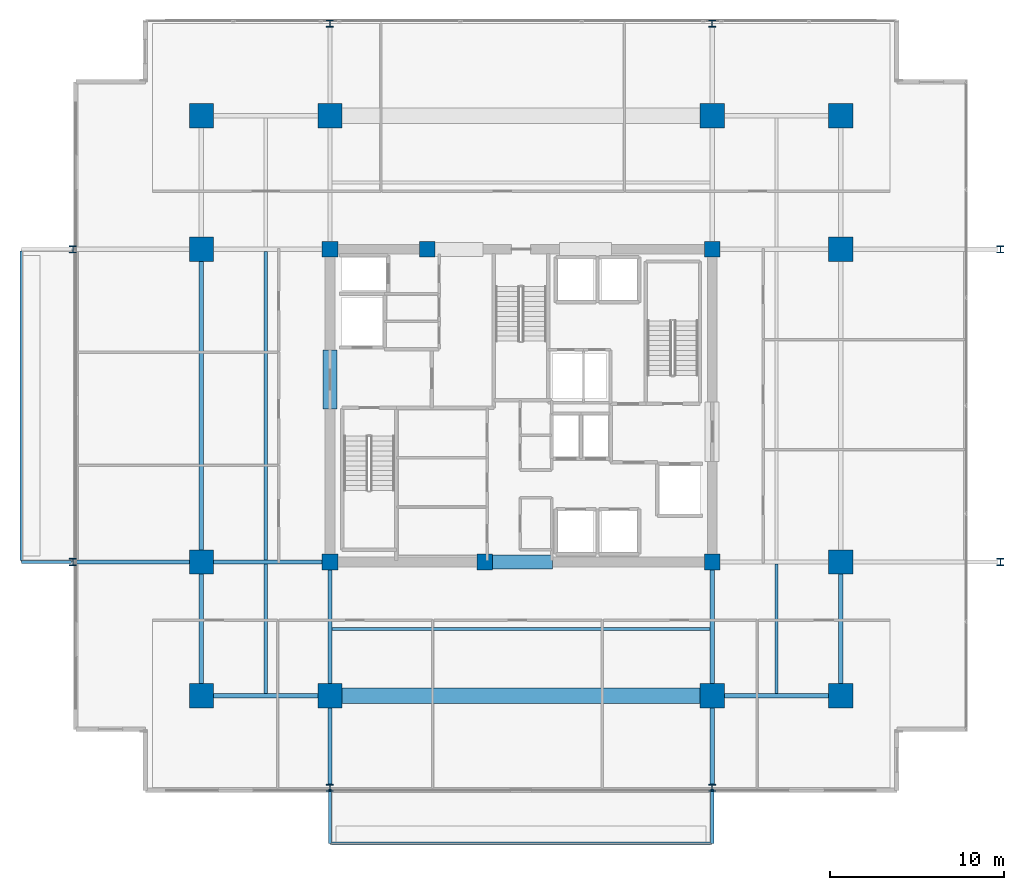
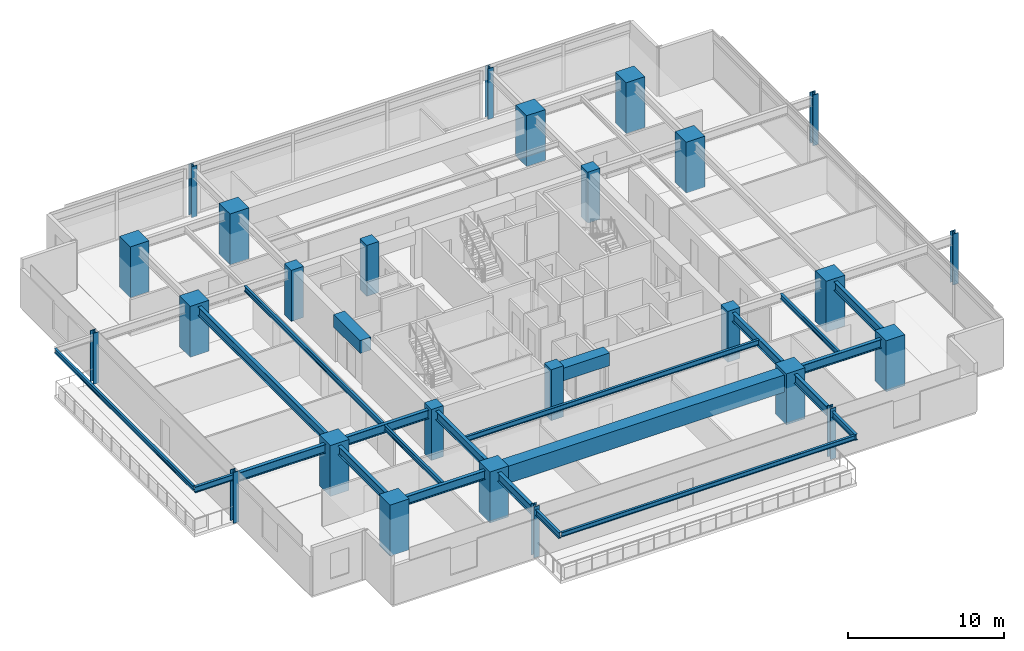
# One storey, part 1 of 23: 26 columns, 23 beams.
"""IFC4 building model written with IfcOpenShell, lengths in metres."""

from ifc_helpers import new_model, si_unit, direction, frame, origin, origin_2d, place, context, subcontext, project, spatial, rectangle, i_section, extrude, material, material_profile, profile_set, type_object, element, save


model = new_model("IFC4")

# Units and contexts
model_context = context("Model", 3, precision=1e-05, world=origin(), true_north=direction((0.0, 1.0)))
body_context = subcontext(model_context, "Body", "Model", "MODEL_VIEW")
ifc_project = project(units=[si_unit("LENGTHUNIT", "METRE"), si_unit("AREAUNIT", "SQUARE_METRE"), si_unit("VOLUMEUNIT", "CUBIC_METRE"), si_unit("PLANEANGLEUNIT", "RADIAN"), si_unit("MASSUNIT", "GRAM", prefix="KILO")], contexts=[model_context])

# Site, building, storey
site_placement = place(None, origin())
site = spatial("IfcSite", under=ifc_project, at=site_placement, CompositionType="ELEMENT")
building_placement = place(site_placement, origin())
building = spatial("IfcBuilding", under=site, at=building_placement, Name="Kovane Verandah Tower", CompositionType="ELEMENT")
storey_placement = place(building_placement, frame((0.0, 0.0, 221.199951171875)))
storey = spatial("IfcBuildingStorey", under=building, at=storey_placement, Name="L51", CompositionType="ELEMENT", Elevation=221.199951171875)

# Columns
ifc_material_1 = material(Name="Concrete C60/75", Category="concrete")
ifc_material_profile_1 = material_profile(ifc_material_1, rectangle(XDim=1.39990234375, YDim=1.39990234375, at=origin_2d()), Name="RC1400x1400")
ifc_profile_set_1 = profile_set([ifc_material_profile_1], Name="Concrete C60/75")
column_type_1 = type_object("IfcColumnType", Name="COL-RC1400", PredefinedType="COLUMN", material=ifc_profile_set_1)
for number, where, z_axis, x_axis, name in (
    (1, (29.0, 10.800048828125, 0.0), (0.0, 0.0, 1.0), (1.0, 0.0, 0.0), "L51 Tower Mega-Column MC-S1"),
    (2, (51.0, 10.800048828125, 0.0), (0.0, 0.0, 1.0), (1.0, 0.0, 0.0), "L51 Tower Mega-Column MC-S2"),
    (3, (29.0, 44.199951171875, 0.0), (0.0, 0.0, 1.0), (1.0, 0.0, 0.0), "L51 Tower Mega-Column MC-N1"),
    (4, (51.0, 44.199951171875, 0.0), (0.0, 0.0, 1.0), (1.0, 0.0, 0.0), "L51 Tower Mega-Column MC-N2"),
    (5, (21.60009765625, 18.5, 0.0), (0.0, 0.0, 1.0), (1.0, 0.0, 0.0), "L51 Tower Mega-Column MC-W1"),
    (6, (21.60009765625, 36.5, 0.0), (0.0, 0.0, 1.0), (1.0, 0.0, 0.0), "L51 Tower Mega-Column MC-W2"),
    (7, (58.39990234375, 18.5, 0.0), (0.0, 0.0, 1.0), (1.0, 0.0, 0.0), "L51 Tower Mega-Column MC-E1"),
    (8, (58.39990234375, 36.5, 0.0), (0.0, 0.0, 1.0), (1.0, 0.0, 0.0), "L51 Tower Mega-Column MC-E2"),
    (9, (21.60009765625, 10.800048828125, 0.0), (0.0, 0.0, 1.0), (1.0, 0.0, 0.0), "L51 Tower Mega-Column MC-SW"),
    (10, (58.39990234375, 10.800048828125, 0.0), (0.0, 0.0, 1.0), (1.0, 0.0, 0.0), "L51 Tower Mega-Column MC-SE"),
    (11, (21.60009765625, 44.199951171875, 0.0), (0.0, 0.0, 1.0), (1.0, 0.0, 0.0), "L51 Tower Mega-Column MC-NW"),
    (12, (58.39990234375, 44.199951171875, 0.0), (0.0, 0.0, 1.0), (1.0, 0.0, 0.0), "L51 Tower Mega-Column MC-NE"),
):
    element("IfcColumn", number, at=place(storey_placement, frame(where, z_axis=z_axis, x_axis=x_axis)), inside=storey, type_object=column_type_1, Name=name, PredefinedType="COLUMN", context=body_context, shape_type="SweptSolid", body=[
        extrude(rectangle(XDim=1.39990234375, YDim=1.39990234375, at=origin_2d()), origin(), (0.0, 0.0, 1.0), 4.0),
    ])
ifc_material_2 = material(Name="Steel S460", Category="steel")
ifc_material_profile_2 = material_profile(ifc_material_2, i_section(OverallWidth=0.403076171875, OverallDepth=0.406494140625, WebThickness=0.026611328125, FlangeThickness=0.04296875, FilletRadius=0.01513671875, at=origin_2d()), Name="UC356x406x340")
ifc_profile_set_2 = profile_set([ifc_material_profile_2], Name="Steel S460")
column_type_2 = type_object("IfcColumnType", Name="COL-UC340", PredefinedType="COLUMN", material=ifc_profile_set_2)
for number, where, z_axis, x_axis, name in (
    (13, (14.199951171875, 18.5, 0.0), (0.0, 0.0, 1.0), (1.0, 0.0, 0.0), "L51 Verandah Perimeter Column VC-W1"),
    (14, (14.199951171875, 36.5, 0.0), (0.0, 0.0, 1.0), (1.0, 0.0, 0.0), "L51 Verandah Perimeter Column VC-W2"),
    (15, (67.60009765625, 18.5, 0.0), (0.0, 0.0, 1.0), (1.0, 0.0, 0.0), "L51 Verandah Perimeter Column VC-E1"),
    (16, (67.60009765625, 36.5, 0.0), (0.0, 0.0, 1.0), (1.0, 0.0, 0.0), "L51 Verandah Perimeter Column VC-E2"),
    (17, (29.0, 5.5, 0.0), (0.0, 0.0, 1.0), (1.0, 0.0, 0.0), "L51 Verandah Perimeter Column VC-S1"),
    (18, (51.0, 5.5, 0.0), (0.0, 0.0, 1.0), (1.0, 0.0, 0.0), "L51 Verandah Perimeter Column VC-S2"),
    (19, (29.0, 49.5, 0.0), (0.0, 0.0, 1.0), (1.0, 0.0, 0.0), "L51 Verandah Perimeter Column VC-N1"),
    (20, (51.0, 49.5, 0.0), (0.0, 0.0, 1.0), (1.0, 0.0, 0.0), "L51 Verandah Perimeter Column VC-N2"),
):
    element("IfcColumn", number, at=place(storey_placement, frame(where, z_axis=z_axis, x_axis=x_axis)), inside=storey, type_object=column_type_2, Name=name, PredefinedType="COLUMN", context=body_context, shape_type="SweptSolid", body=[
        extrude(i_section(OverallWidth=0.403076171875, OverallDepth=0.406494140625, WebThickness=0.026611328125, FlangeThickness=0.04296875, FilletRadius=0.01513671875, at=origin_2d()), origin(), (0.0, 0.0, 1.0), 4.0),
    ])
ifc_material_profile_3 = material_profile(ifc_material_1, rectangle(XDim=0.89990234375, YDim=0.89990234375, at=origin_2d()), Name="RC900x900")
ifc_profile_set_3 = profile_set([ifc_material_profile_3], Name="Concrete C60/75")
column_type_3 = type_object("IfcColumnType", Name="PIL-RC900", PredefinedType="PILASTER", material=ifc_profile_set_3)
for number, where, z_axis, x_axis, name in (
    (21, (29.0, 18.5, 0.0), (0.0, 0.0, 1.0), (1.0, 0.0, 0.0), "L51 Core Pilaster CP-SW"),
    (22, (51.0, 18.5, 0.0), (0.0, 0.0, 1.0), (1.0, 0.0, 0.0), "L51 Core Pilaster CP-SE"),
    (23, (29.0, 36.5, 0.0), (0.0, 0.0, 1.0), (1.0, 0.0, 0.0), "L51 Core Pilaster CP-NW"),
    (24, (51.0, 36.5, 0.0), (0.0, 0.0, 1.0), (1.0, 0.0, 0.0), "L51 Core Pilaster CP-NE"),
    (25, (37.89990234375, 18.5, 0.0), (0.0, 0.0, 1.0), (1.0, 0.0, 0.0), "L51 Core Pilaster CP-S"),
    (26, (34.60009765625, 36.5, 0.0), (0.0, 0.0, 1.0), (1.0, 0.0, 0.0), "L51 Core Pilaster CP-N"),
):
    element("IfcColumn", number, at=place(storey_placement, frame(where, z_axis=z_axis, x_axis=x_axis)), inside=storey, type_object=column_type_3, Name=name, PredefinedType="PILASTER", context=body_context, shape_type="SweptSolid", body=[
        extrude(rectangle(XDim=0.89990234375, YDim=0.89990234375, at=origin_2d()), origin(), (0.0, 0.0, 1.0), 4.0),
    ])

# Beams
ifc_material_profile_4 = material_profile(ifc_material_1, rectangle(XDim=0.800048828125, YDim=1.0, at=origin_2d()), Name="RCB800x1000")
ifc_profile_set_4 = profile_set([ifc_material_profile_4], Name="Concrete C60/75")
beam_type_1 = type_object("IfcBeamType", Name="BM-LINTEL-800x1000", PredefinedType="LINTEL", material=ifc_profile_set_4)
beam_1_placement = place(storey_placement, frame((38.199951171875, 18.5, 3.275146484375), z_axis=(1.0, 0.0, 0.0), x_axis=(0.0, 1.0, 0.0)))
element("IfcBeam", 27, at=beam_1_placement, inside=storey, type_object=beam_type_1, Name="L51 Core Coupling Lintel CL-S", PredefinedType="LINTEL", context=body_context, shape_type="SweptSolid", body=[
    extrude(rectangle(XDim=0.800048828125, YDim=1.0, at=origin_2d()), origin(), (0.0, 0.0, 1.0), 3.60009765625),
])
beam_2_placement = place(storey_placement, frame((29.0, 27.300048828125, 3.275146484375), z_axis=(0.0, 1.0, 0.0), x_axis=(-1.0, 0.0, 0.0)))
element("IfcBeam", 28, at=beam_2_placement, inside=storey, type_object=beam_type_1, Name="L51 Core Coupling Lintel CL-W", PredefinedType="LINTEL", context=body_context, shape_type="SweptSolid", body=[
    extrude(rectangle(XDim=0.800048828125, YDim=1.0, at=origin_2d()), origin(), (0.0, 0.0, 1.0), 3.39990234375),
])
ifc_material_3 = material(Name="Concrete C80/95", Category="concrete")
ifc_material_profile_5 = material_profile(ifc_material_3, rectangle(XDim=0.89990234375, YDim=1.35009765625, at=origin_2d()), Name="RCB900x1350")
ifc_profile_set_5 = profile_set([ifc_material_profile_5], Name="Concrete C80/95")
beam_type_2 = type_object("IfcBeamType", Name="BM-TR-900x1350", PredefinedType="BEAM", material=ifc_profile_set_5)
beam_3_placement = place(storey_placement, frame((29.179931640625, 10.800048828125, 3.10009765625), z_axis=(1.0, 0.0, 0.0), x_axis=(0.0, 1.0, 0.0)))
element("IfcBeam", 29, at=beam_3_placement, inside=storey, type_object=beam_type_2, Name="L51 Primary Tower Girder G-RS2", PredefinedType="BEAM", context=body_context, shape_type="SweptSolid", body=[
    extrude(rectangle(XDim=0.89990234375, YDim=1.35009765625, at=origin_2d()), origin(), (0.0, 0.0, 1.0), 21.64013671875),
])
ifc_material_4 = material(Name="Steel S355", Category="steel")
ifc_material_profile_6 = material_profile(ifc_material_4, i_section(OverallWidth=0.255859375, OverallDepth=0.69287109375, WebThickness=0.014404296875, FlangeThickness=0.023681640625, FilletRadius=0.01513671875, at=origin_2d()), Name="UB686x254x170")
ifc_profile_set_6 = profile_set([ifc_material_profile_6], Name="Steel S355")
beam_type_3 = type_object("IfcBeamType", Name="BM-UB686x170", PredefinedType="BEAM", material=ifc_profile_set_6)
for number, where, z_axis, x_axis, name in (
    (30, (21.780029296875, 10.800048828125, 3.428466796875), (1.0, 0.0, 0.0), (0.0, 1.0, 0.0), "L51 Primary Tower Girder G-RS1"),
    (31, (51.179931640625, 10.800048828125, 3.428466796875), (1.0, 0.0, 0.0), (0.0, 1.0, 0.0), "L51 Primary Tower Girder G-RS3"),
):
    element("IfcBeam", number, at=place(storey_placement, frame(where, z_axis=z_axis, x_axis=x_axis)), inside=storey, type_object=beam_type_3, Name=name, PredefinedType="BEAM", context=body_context, shape_type="SweptSolid", body=[
        extrude(i_section(OverallWidth=0.255859375, OverallDepth=0.69287109375, WebThickness=0.014404296875, FlangeThickness=0.023681640625, FilletRadius=0.01513671875, at=origin_2d()), origin(), (0.0, 0.0, 1.0), 7.0400390625),
    ])
beam_4_placement = place(storey_placement, frame((21.60009765625, 10.97998046875, 3.428466796875), z_axis=(0.0, 1.0, 0.0), x_axis=(-1.0, 0.0, 0.0)))
element("IfcBeam", 32, at=beam_4_placement, inside=storey, type_object=beam_type_3, Name="L51 Primary Tower Girder G-RW1", PredefinedType="BEAM", context=body_context, shape_type="SweptSolid", body=[
    extrude(i_section(OverallWidth=0.255859375, OverallDepth=0.69287109375, WebThickness=0.014404296875, FlangeThickness=0.023681640625, FilletRadius=0.01513671875, at=origin_2d()), origin(), (0.0, 0.0, 1.0), 7.340087890625),
])
beam_5_placement = place(storey_placement, frame((21.60009765625, 18.679931640625, 3.428466796875), z_axis=(0.0, 1.0, 0.0), x_axis=(-1.0, 0.0, 0.0)))
element("IfcBeam", 33, at=beam_5_placement, inside=storey, type_object=beam_type_3, Name="L51 Primary Tower Girder G-RW2", PredefinedType="BEAM", context=body_context, shape_type="SweptSolid", body=[
    extrude(i_section(OverallWidth=0.255859375, OverallDepth=0.69287109375, WebThickness=0.014404296875, FlangeThickness=0.023681640625, FilletRadius=0.01513671875, at=origin_2d()), origin(), (0.0, 0.0, 1.0), 17.64013671875),
])
beam_6_placement = place(storey_placement, frame((58.39990234375, 10.97998046875, 3.428466796875), z_axis=(0.0, 1.0, 0.0), x_axis=(-1.0, 0.0, 0.0)))
element("IfcBeam", 34, at=beam_6_placement, inside=storey, type_object=beam_type_3, Name="L51 Primary Tower Girder G-RE1", PredefinedType="BEAM", context=body_context, shape_type="SweptSolid", body=[
    extrude(i_section(OverallWidth=0.255859375, OverallDepth=0.69287109375, WebThickness=0.014404296875, FlangeThickness=0.023681640625, FilletRadius=0.01513671875, at=origin_2d()), origin(), (0.0, 0.0, 1.0), 7.340087890625),
])
beam_7_placement = place(storey_placement, frame((28.820068359375, 18.5, 3.428466796875), z_axis=(-1.0, 0.0, 0.0), x_axis=(0.0, -1.0, 0.0)))
element("IfcBeam", 35, at=beam_7_placement, inside=storey, type_object=beam_type_3, Name="L51 Primary Tower Girder G-W1", PredefinedType="BEAM", context=body_context, shape_type="SweptSolid", body=[
    extrude(i_section(OverallWidth=0.255859375, OverallDepth=0.69287109375, WebThickness=0.014404296875, FlangeThickness=0.023681640625, FilletRadius=0.01513671875, at=origin_2d()), origin(), (0.0, 0.0, 1.0), 7.0400390625),
])
for number, where, z_axis, x_axis, name in (
    (36, (29.0, 18.320068359375, 3.428466796875), (0.0, -1.0, 0.0), (1.0, 0.0, 0.0), "L51 Primary Tower Girder G-S1"),
    (37, (51.0, 18.320068359375, 3.428466796875), (0.0, -1.0, 0.0), (1.0, 0.0, 0.0), "L51 Primary Tower Girder G-S2"),
):
    element("IfcBeam", number, at=place(storey_placement, frame(where, z_axis=z_axis, x_axis=x_axis)), inside=storey, type_object=beam_type_3, Name=name, PredefinedType="BEAM", context=body_context, shape_type="SweptSolid", body=[
        extrude(i_section(OverallWidth=0.255859375, OverallDepth=0.69287109375, WebThickness=0.014404296875, FlangeThickness=0.023681640625, FilletRadius=0.01513671875, at=origin_2d()), origin(), (0.0, 0.0, 1.0), 7.340087890625),
    ])
beam_8_placement = place(storey_placement, frame((21.419921875, 18.5, 3.41357421875), z_axis=(-1.0, 0.0, 0.0), x_axis=(0.0, -1.0, 0.0)))
element("IfcBeam", 38, at=beam_8_placement, inside=storey, type_object=beam_type_3, Name="L51 Primary Tower Girder G-VW1", PredefinedType="BEAM", context=body_context, shape_type="SweptSolid", body=[
    extrude(i_section(OverallWidth=0.255859375, OverallDepth=0.69287109375, WebThickness=0.014404296875, FlangeThickness=0.023681640625, FilletRadius=0.01513671875, at=origin_2d()), origin(), (0.0, 0.0, 1.0), 7.0400390625),
])
for number, where, z_axis, x_axis, name in (
    (39, (29.0, 10.6201171875, 3.41357421875), (0.0, -1.0, 0.0), (1.0, 0.0, 0.0), "L51 Primary Tower Girder G-VS1"),
    (40, (51.0, 10.6201171875, 3.41357421875), (0.0, -1.0, 0.0), (1.0, 0.0, 0.0), "L51 Primary Tower Girder G-VS2"),
):
    element("IfcBeam", number, at=place(storey_placement, frame(where, z_axis=z_axis, x_axis=x_axis)), inside=storey, type_object=beam_type_3, Name=name, PredefinedType="BEAM", context=body_context, shape_type="SweptSolid", body=[
        extrude(i_section(OverallWidth=0.255859375, OverallDepth=0.69287109375, WebThickness=0.014404296875, FlangeThickness=0.023681640625, FilletRadius=0.01513671875, at=origin_2d()), origin(), (0.0, 0.0, 1.0), 4.940185546875),
    ])
ifc_material_profile_7 = material_profile(ifc_material_4, i_section(OverallWidth=0.179443359375, OverallDepth=0.412841796875, WebThickness=0.009521484375, FlangeThickness=0.01611328125, FilletRadius=0.01025390625, at=origin_2d()), Name="UB406x178x74")
ifc_profile_set_7 = profile_set([ifc_material_profile_7], Name="Steel S355")
beam_type_4 = type_object("IfcBeamType", Name="JST-UB406x74", PredefinedType="JOIST", material=ifc_profile_set_7)
beam_9_placement = place(storey_placement, frame((29.1259765625, 14.64990234375, 3.568603515625), z_axis=(1.0, 0.0, 0.0), x_axis=(0.0, 1.0, 0.0)))
element("IfcBeam", 41, at=beam_9_placement, inside=storey, type_object=beam_type_4, Name="L51 Secondary Composite Joist J-S1", PredefinedType="JOIST", context=body_context, shape_type="SweptSolid", body=[
    extrude(i_section(OverallWidth=0.179443359375, OverallDepth=0.412841796875, WebThickness=0.009521484375, FlangeThickness=0.01611328125, FilletRadius=0.01025390625, at=origin_2d()), origin(), (0.0, 0.0, 1.0), 21.748046875),
])
beam_10_placement = place(storey_placement, frame((25.300048828125, 18.6259765625, 3.568603515625), z_axis=(0.0, 1.0, 0.0), x_axis=(-1.0, 0.0, 0.0)))
element("IfcBeam", 42, at=beam_10_placement, inside=storey, type_object=beam_type_4, Name="L51 Secondary Composite Joist J-W1", PredefinedType="JOIST", context=body_context, shape_type="SweptSolid", body=[
    extrude(i_section(OverallWidth=0.179443359375, OverallDepth=0.412841796875, WebThickness=0.009521484375, FlangeThickness=0.01611328125, FilletRadius=0.01025390625, at=origin_2d()), origin(), (0.0, 0.0, 1.0), 17.748046875),
])
for number, where, z_axis, x_axis, name in (
    (43, (25.300048828125, 10.92578125, 3.568603515625), (0.0, 1.0, 0.0), (-1.0, 0.0, 0.0), "L51 Secondary Composite Joist J-SW1"),
    (44, (54.699951171875, 10.92578125, 3.568603515625), (0.0, 1.0, 0.0), (-1.0, 0.0, 0.0), "L51 Secondary Composite Joist J-SE1"),
):
    element("IfcBeam", number, at=place(storey_placement, frame(where, z_axis=z_axis, x_axis=x_axis)), inside=storey, type_object=beam_type_4, Name=name, PredefinedType="JOIST", context=body_context, shape_type="SweptSolid", body=[
        extrude(i_section(OverallWidth=0.179443359375, OverallDepth=0.412841796875, WebThickness=0.009521484375, FlangeThickness=0.01611328125, FilletRadius=0.01025390625, at=origin_2d()), origin(), (0.0, 0.0, 1.0), 7.4482421875),
    ])
ifc_material_profile_8 = material_profile(ifc_material_4, i_section(OverallWidth=0.19287109375, OverallDepth=0.46728515625, WebThickness=0.011474609375, FlangeThickness=0.01953125, FilletRadius=0.01025390625, at=origin_2d()), Name="UB457x191x98")
ifc_profile_set_8 = profile_set([ifc_material_profile_8], Name="Steel S355")
beam_type_5 = type_object("IfcBeamType", Name="JST-UB457x98", PredefinedType="JOIST", material=ifc_profile_set_8)
for number, where, z_axis, x_axis, name in (
    (45, (29.0, 5.419921875, 3.5263671875), (0.0, -1.0, 0.0), (1.0, 0.0, 0.0), "L51 South Planter Girder 1"),
    (46, (51.0, 5.419921875, 3.5263671875), (0.0, -1.0, 0.0), (1.0, 0.0, 0.0), "L51 South Planter Girder 2"),
):
    element("IfcBeam", number, at=place(storey_placement, frame(where, z_axis=z_axis, x_axis=x_axis)), inside=storey, type_object=beam_type_5, Name=name, PredefinedType="JOIST", context=body_context, shape_type="SweptSolid", body=[
        extrude(i_section(OverallWidth=0.19287109375, OverallDepth=0.46728515625, WebThickness=0.011474609375, FlangeThickness=0.01953125, FilletRadius=0.01025390625, at=origin_2d()), origin(), (0.0, 0.0, 1.0), 3.126220703125),
    ])
beam_11_placement = place(storey_placement, frame((14.1201171875, 18.5, 3.5263671875), z_axis=(-1.0, 0.0, 0.0), x_axis=(0.0, -1.0, 0.0)))
element("IfcBeam", 47, at=beam_11_placement, inside=storey, type_object=beam_type_5, Name="L51 West Planter Girder 1", PredefinedType="JOIST", context=body_context, shape_type="SweptSolid", body=[
    extrude(i_section(OverallWidth=0.19287109375, OverallDepth=0.46728515625, WebThickness=0.011474609375, FlangeThickness=0.01953125, FilletRadius=0.01025390625, at=origin_2d()), origin(), (0.0, 0.0, 1.0), 2.8798828125),
])
ifc_material_profile_9 = material_profile(ifc_material_4, i_section(OverallWidth=0.173095703125, OverallDepth=0.36328125, WebThickness=0.009033203125, FlangeThickness=0.015625, FilletRadius=0.01025390625, at=origin_2d()), Name="UB356x171x67")
ifc_profile_set_9 = profile_set([ifc_material_profile_9], Name="Steel S355")
beam_type_6 = type_object("IfcBeamType", Name="SPD-UB356x67", PredefinedType="USERDEFINED", material=ifc_profile_set_9)
beam_12_placement = place(storey_placement, frame((29.094482421875, 2.293701171875, 3.578369140625), z_axis=(1.0, 0.0, 0.0), x_axis=(0.0, 1.0, 0.0)))
element("IfcBeam", 48, at=beam_12_placement, inside=storey, type_object=beam_type_6, Name="L51 South Planter Edge Spandrel", ObjectType="SPANDREL", PredefinedType="USERDEFINED", context=body_context, shape_type="SweptSolid", body=[
    extrude(i_section(OverallWidth=0.173095703125, OverallDepth=0.36328125, WebThickness=0.009033203125, FlangeThickness=0.015625, FilletRadius=0.01025390625, at=origin_2d()), origin(), (0.0, 0.0, 1.0), 21.81103515625),
])
beam_13_placement = place(storey_placement, frame((11.240234375, 18.594482421875, 3.578369140625), z_axis=(0.0, 1.0, 0.0), x_axis=(-1.0, 0.0, 0.0)))
element("IfcBeam", 49, at=beam_13_placement, inside=storey, type_object=beam_type_6, Name="L51 West Planter Edge Spandrel", ObjectType="SPANDREL", PredefinedType="USERDEFINED", context=body_context, shape_type="SweptSolid", body=[
    extrude(i_section(OverallWidth=0.173095703125, OverallDepth=0.36328125, WebThickness=0.009033203125, FlangeThickness=0.015625, FilletRadius=0.01025390625, at=origin_2d()), origin(), (0.0, 0.0, 1.0), 17.81103515625),
])

save(model, "model.ifc")
